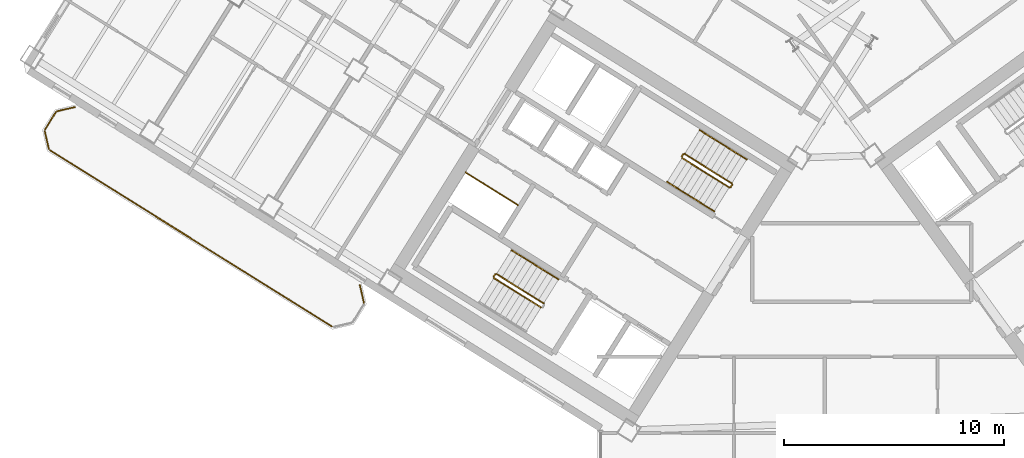
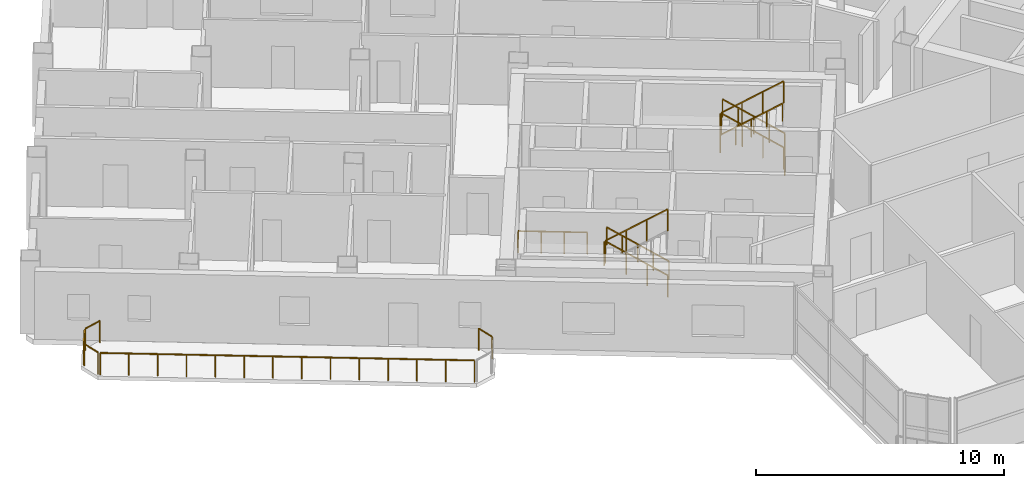
# One storey, part 18 of 20: 19 railings.
"""IFC4 building model written with IfcOpenShell, lengths in metres."""

import ifcopenshell
import ifcopenshell.guid

model = None  # the IFC model being written
_history = None  # IfcOwnerHistory: only IFC2X3 demands one
_inside = {}  # id of a spatial element -> (the spatial element, [elements in it])
_under = {}  # id of a project, library or spatial element -> (it, [spatial elements below it])
_declared = {}  # id of a project -> (the project, [libraries it declares])
_typed = {}  # id of a type object -> (the type object, [elements of that type])
_made_of = {}  # id of a material, layer set ... -> (it, [elements and type objects made of it])


def new_model(schema):
    """Start an empty IFC model of exactly this schema.

    Asked for "IFC4X3", IfcOpenShell would pick the latest addendum, in which some entities
    have other attributes; the version numbers below select the first issue.
    IFC2X3 requires an IfcOwnerHistory on every rooted entity: one is made here for all.
    """
    global model, _history
    if schema == "IFC4X3":
        model = ifcopenshell.file(schema_version=(4, 3, 0, 0))
    else:
        model = ifcopenshell.file(schema=schema)
    _inside.clear()
    _under.clear()
    _declared.clear()
    _typed.clear()
    _made_of.clear()
    _history = None
    if model.schema == "IFC2X3":
        org = make("IfcOrganization", Name="unknown")
        user = make(
            "IfcPersonAndOrganization",
            ThePerson=make("IfcPerson", FamilyName="unknown"),
            TheOrganization=org,
        )
        app = make(
            "IfcApplication",
            ApplicationDeveloper=org,
            Version="unknown",
            ApplicationFullName="unknown",
            ApplicationIdentifier="unknown",
        )
        _history = make(
            "IfcOwnerHistory",
            OwningUser=user,
            OwningApplication=app,
            ChangeAction="ADDED",
            CreationDate=0,
        )
    return model


def make(cls, **values):
    """One entity of the class cls with the attributes given. An attribute that is None is left unset."""
    return model.create_entity(
        cls, **{name: value for name, value in values.items() if value is not None}
    )


def rooted(cls, **values):
    """An entity with a GlobalId (a new one), such as an element, a storey or a relation."""
    return make(cls, GlobalId=ifcopenshell.guid.new(), OwnerHistory=_history, **values)


def si_unit(unit_type, name, prefix=None):
    """IfcSIUnit, for example si_unit("LENGTHUNIT", "METRE", prefix="MILLI")."""
    return make("IfcSIUnit", UnitType=unit_type, Prefix=prefix, Name=name)


def assignment(units):
    """IfcUnitAssignment: the units of a project."""
    return None if units is None else make("IfcUnitAssignment", Units=units)


def point(xyz):
    """IfcCartesianPoint."""
    return None if xyz is None else make("IfcCartesianPoint", Coordinates=xyz)


def direction(xyz):
    """IfcDirection."""
    return None if xyz is None else make("IfcDirection", DirectionRatios=xyz)


def frame(location, z_axis=None, x_axis=None):
    """IfcAxis2Placement3D, a coordinate frame: its origin and axes. An axis left out is left unset."""
    return make(
        "IfcAxis2Placement3D",
        Location=point(location),
        Axis=direction(z_axis),
        RefDirection=direction(x_axis),
    )


def frame_2d(location, x_axis=None):
    """IfcAxis2Placement2D, a coordinate frame in the plane: its origin and x axis."""
    return make(
        "IfcAxis2Placement2D", Location=point(location), RefDirection=direction(x_axis)
    )


def origin():
    """The frame at (0, 0, 0) with its axes left unset."""
    return frame((0.0, 0.0, 0.0))


def origin_2d():
    """The frame at (0, 0) in the plane with its x axis left unset."""
    return frame_2d((0.0, 0.0))


def place(relative_to, where):
    """IfcLocalPlacement: puts the frame where relative to a parent placement (None: the world)."""
    return make(
        "IfcLocalPlacement", PlacementRelTo=relative_to, RelativePlacement=where
    )


def context(
    kind, dimensions, precision=None, world=None, true_north=None, identifier=None
):
    """IfcGeometricRepresentationContext, for example the 3D "Model" context."""
    return make(
        "IfcGeometricRepresentationContext",
        ContextIdentifier=identifier,
        ContextType=kind,
        CoordinateSpaceDimension=dimensions,
        Precision=precision,
        WorldCoordinateSystem=world,
        TrueNorth=true_north,
    )


def subcontext(parent, identifier, kind, view, scale=None):
    """IfcGeometricRepresentationSubContext, for example "Body" below "Model"."""
    return make(
        "IfcGeometricRepresentationSubContext",
        ContextIdentifier=identifier,
        ContextType=kind,
        ParentContext=parent,
        TargetScale=scale,
        TargetView=view,
    )


def project(units=None, contexts=None):
    """IfcProject with its units and contexts."""
    return rooted(
        "IfcProject",
        Name="project",
        RepresentationContexts=contexts,
        UnitsInContext=assignment(units),
    )


def spatial(cls, under=None, at=None, **own):
    """A site, building, storey or space (cls), placed at a placement, below another one or the project."""
    s = rooted(cls, ObjectPlacement=at, **own)
    if under is not None:
        _under.setdefault(under.id(), (under, []))[1].append(s)
    return s


def profile(cls, at=None, kind="AREA", **sizes):
    """A parametric profile (cls). Its sizes go by their IFC names, for example OverallWidth=200.0."""
    return make(cls, ProfileType=kind, Position=at, **sizes)


def rectangle(**sizes):
    """IfcRectangleProfileDef."""
    return profile("IfcRectangleProfileDef", **sizes)


def extrude(swept, where, along, depth):
    """IfcExtrudedAreaSolid: the profile swept, set in the frame where, extruded along a direction by depth."""
    return make(
        "IfcExtrudedAreaSolid",
        SweptArea=swept,
        Position=where,
        ExtrudedDirection=direction(along),
        Depth=depth,
    )


def shape(context_of_items, identifier, shape_type, items):
    """IfcShapeRepresentation: the items that make up one representation, for example the "Body"."""
    return make(
        "IfcShapeRepresentation",
        ContextOfItems=context_of_items,
        RepresentationIdentifier=identifier,
        RepresentationType=shape_type,
        Items=items,
    )


def source(mapping_origin, context_of_items, identifier, shape_type, items):
    """IfcRepresentationMap: a shape defined once, which mapped items show again and again."""
    return make(
        "IfcRepresentationMap",
        MappingOrigin=mapping_origin,
        MappedRepresentation=shape(context_of_items, identifier, shape_type, items),
    )


def transform(
    local_origin,
    x_axis=None,
    y_axis=None,
    z_axis=None,
    scale=None,
    scale2=None,
    scale3=None,
    uniform=True,
):
    """IfcCartesianTransformationOperator3D, or its non-uniform kind. x_axis, y_axis, z_axis: its Axis1, 2, 3."""
    if uniform:
        return make(
            "IfcCartesianTransformationOperator3D",
            Axis1=direction(x_axis),
            Axis2=direction(y_axis),
            LocalOrigin=point(local_origin),
            Scale=scale,
            Axis3=direction(z_axis),
        )
    return make(
        "IfcCartesianTransformationOperator3DnonUniform",
        Axis1=direction(x_axis),
        Axis2=direction(y_axis),
        LocalOrigin=point(local_origin),
        Scale=scale,
        Axis3=direction(z_axis),
        Scale2=scale2,
        Scale3=scale3,
    )


def mapped(mapping_source, mapping_target):
    """IfcMappedItem: shows the shape of a source again, moved by a transform."""
    return make(
        "IfcMappedItem", MappingSource=mapping_source, MappingTarget=mapping_target
    )


def material(Name=None, Category=None):
    """IfcMaterial."""
    return make("IfcMaterial", Name=Name, Category=Category)


def made_of(thing, what):
    """Note that an element or type object is made of a material, layer set ...; save() writes the relation."""
    if what is not None:
        _made_of.setdefault(what.id(), (what, []))[1].append(thing)
    return thing


def type_object(cls, material=None, **own):
    """A type object (cls), such as IfcWallType, which elements share."""
    return made_of(rooted(cls, **own), material)


def element(
    cls,
    number,
    at=None,
    inside=None,
    cuts=None,
    type_object=None,
    material=None,
    context=None,
    identifier="Body",
    shape_type=None,
    held_by="IfcProductDefinitionShape",
    body=None,
    shapes=None,
    **own,
):
    """One element of the class cls, such as IfcWall. Its Tag is "e" and its number.

    at: its placement. inside: the storey or other place that contains it. cuts: it is an
    opening in that element (IfcRelVoidsElement). A single representation is given by context,
    identifier, shape_type and body (its items); several are given by shapes. held_by: the class
    of the entity that holds the representations. save() writes the other relations.
    """
    e = rooted(cls, Tag="e%d" % number, ObjectPlacement=at, **own)
    if body is not None:
        shapes = [shape(context, identifier, shape_type, body)]
    if shapes is not None:
        e.Representation = make(held_by, Representations=shapes)
    if inside is not None:
        _inside.setdefault(inside.id(), (inside, []))[1].append(e)
    if cuts is not None:
        rooted(
            "IfcRelVoidsElement", RelatingBuildingElement=cuts, RelatedOpeningElement=e
        )
    if type_object is not None:
        _typed.setdefault(type_object.id(), (type_object, []))[1].append(e)
    return made_of(e, material)


def aggregate(whole, parts):
    """IfcRelAggregates: a whole, such as a stair, and the parts it consists of."""
    return rooted("IfcRelAggregates", RelatingObject=whole, RelatedObjects=parts)


def save(model, path):
    """Write the relations noted so far, then the file.

    IfcRelAggregates (storeys below a building ...), IfcRelContainedInSpatialStructure (elements
    in a storey), IfcRelDefinesByType, IfcRelAssociatesMaterial and IfcRelDeclares: one each for
    every whole, place, type object, material and project.
    """
    for whole, parts in _under.values():
        aggregate(whole, parts)
    for where, things in _inside.values():
        rooted(
            "IfcRelContainedInSpatialStructure",
            RelatedElements=things,
            RelatingStructure=where,
        )
    for kind, things in _typed.values():
        rooted("IfcRelDefinesByType", RelatedObjects=things, RelatingType=kind)
    for what, things in _made_of.values():
        rooted("IfcRelAssociatesMaterial", RelatedObjects=things, RelatingMaterial=what)
    for by, libraries in _declared.values():
        rooted("IfcRelDeclares", RelatingContext=by, RelatedDefinitions=libraries)
    model.write(path)


model = new_model("IFC4")

# Units and contexts
model_context = context("Model", 3, precision=1e-05, world=origin(), true_north=direction((0.0, 1.0)))
body_context = subcontext(model_context, "Body", "Model", "MODEL_VIEW")
ifc_project = project(units=[si_unit("LENGTHUNIT", "METRE"), si_unit("AREAUNIT", "SQUARE_METRE"), si_unit("VOLUMEUNIT", "CUBIC_METRE"), si_unit("PLANEANGLEUNIT", "RADIAN"), si_unit("MASSUNIT", "GRAM", prefix="KILO")], contexts=[model_context])

# Site, building, storey
site_placement = place(None, origin())
site = spatial("IfcSite", under=ifc_project, at=site_placement, CompositionType="ELEMENT")
building_placement = place(site_placement, origin())
building = spatial("IfcBuilding", under=site, at=building_placement, Name="Tlacorven Tower", CompositionType="ELEMENT")
storey_placement = place(building_placement, frame((0.0, 0.0, 187.800048828125)))
storey = spatial("IfcBuildingStorey", under=building, at=storey_placement, Name="L47", CompositionType="ELEMENT", Elevation=187.800048828125)

# Railings
ifc_material = material(Name="Aluminium and painted steel balustrade", Category="steel")
railing_type_1 = type_object("IfcRailingType", Name="RL-GRD-1100", PredefinedType="GUARDRAIL", material=ifc_material)
shared_shape_1 = source(origin(), body_context, "Body", "SweptSolid", [
    extrude(rectangle(XDim=0.048095703125, YDim=0.048095703125, at=origin_2d()), frame((0.0, 0.0, 1.076171875), z_axis=(-0.848091358275, 0.529850024081, 0.0), x_axis=(-0.529850024081, -0.848091358275, 0.0)), (0.0, 0.0, 1.0), 2.800048828125),
    extrude(rectangle(XDim=0.0419921875, YDim=0.0419921875, at=origin_2d()), origin(), (0.0, 0.0, 1.0), 1.052001953125),
    extrude(rectangle(XDim=0.0419921875, YDim=0.0419921875, at=origin_2d()), frame((-0.79150390625, 0.49462890625, 0.0)), (0.0, 0.0, 1.0), 1.052001953125),
    extrude(rectangle(XDim=0.0419921875, YDim=0.0419921875, at=origin_2d()), frame((-1.583251953125, 0.989013671875, 0.0)), (0.0, 0.0, 1.0), 1.052001953125),
    extrude(rectangle(XDim=0.0419921875, YDim=0.0419921875, at=origin_2d()), frame((-2.374755859375, 1.483642578125, 0.0)), (0.0, 0.0, 1.0), 1.052001953125),
])
railing_1_placement = place(storey_placement, frame((27.9912109375, 22.32080078125, 0.0)))
element("IfcRailing", 1, at=railing_1_placement, inside=storey, type_object=railing_type_1, Name="L47 Electrical Riser W Shaft Guard 1", PredefinedType="GUARDRAIL", context=body_context, shape_type="MappedRepresentation", body=[
    mapped(shared_shape_1, transform((0.0, 0.0, 0.0), scale=1.0)),
])
railing_type_2 = type_object("IfcRailingType", Name="RL-BAL-1100", PredefinedType="BALUSTRADE", material=ifc_material)
shared_shape_2 = source(origin(), body_context, "Body", "SweptSolid", [
    extrude(rectangle(XDim=0.048095703125, YDim=0.048095703125, at=origin_2d()), frame((0.0, 0.0, 1.076171875), z_axis=(0.225058334816, -0.974345290916, 0.0), x_axis=(0.974345290916, 0.225058334816, 0.0)), (0.0, 0.0, 1.0), 0.80712890625),
    extrude(rectangle(XDim=0.0419921875, YDim=0.0419921875, at=origin_2d()), origin(), (0.0, 0.0, 1.0), 1.052001953125),
    extrude(rectangle(XDim=0.0419921875, YDim=0.0419921875, at=origin_2d()), frame((0.181640625, -0.786376953125, 0.0)), (0.0, 0.0, 1.0), 1.052001953125),
])
railing_2_placement = place(storey_placement, frame((20.809814453125, 18.671142578125, 0.0)))
element("IfcRailing", 2, at=railing_2_placement, inside=storey, type_object=railing_type_2, Name="BAL-L47-W-OUT Guard Railing 1", PredefinedType="BALUSTRADE", context=body_context, shape_type="MappedRepresentation", body=[
    mapped(shared_shape_2, transform((0.0, 0.0, 0.0), scale=1.0)),
])
shared_shape_3 = source(origin(), body_context, "Body", "SweptSolid", [
    extrude(rectangle(XDim=0.048095703125, YDim=0.048095703125, at=origin_2d()), frame((0.0, 0.0, 1.076171875), z_axis=(-0.225058334816, 0.974345290916, 0.0), x_axis=(-0.974345290916, -0.225058334816, 0.0)), (0.0, 0.0, 1.0), 0.80712890625),
    extrude(rectangle(XDim=0.0419921875, YDim=0.0419921875, at=origin_2d()), origin(), (0.0, 0.0, 1.0), 1.052001953125),
    extrude(rectangle(XDim=0.0419921875, YDim=0.0419921875, at=origin_2d()), frame((-0.181640625, 0.786376953125, 0.0)), (0.0, 0.0, 1.0), 1.052001953125),
])
railing_3_placement = place(storey_placement, frame((6.66650390625, 24.88623046875, 0.0)))
element("IfcRailing", 3, at=railing_3_placement, inside=storey, type_object=railing_type_2, Name="BAL-L47-W-OUT Guard Railing 5", PredefinedType="BALUSTRADE", context=body_context, shape_type="MappedRepresentation", body=[
    mapped(shared_shape_3, transform((0.0, 0.0, 0.0), scale=1.0)),
])
shared_shape_4 = source(origin(), body_context, "Body", "SweptSolid", [
    extrude(rectangle(XDim=0.048095703125, YDim=0.048095703125, at=origin_2d()), frame((0.0, 0.0, 1.076171875), z_axis=(0.974411586182, 0.224771129628, 0.0), x_axis=(-0.224771129628, 0.974411586182, 0.0)), (0.0, 0.0, 1.0), 0.80712890625),
    extrude(rectangle(XDim=0.0419921875, YDim=0.0419921875, at=origin_2d()), origin(), (0.0, 0.0, 1.0), 1.052001953125),
    extrude(rectangle(XDim=0.0419921875, YDim=0.0419921875, at=origin_2d()), frame((0.786376953125, 0.181396484375, 0.0)), (0.0, 0.0, 1.0), 1.052001953125),
])
railing_4_placement = place(storey_placement, frame((7.05859375, 26.591064453125, 0.0)))
element("IfcRailing", 4, at=railing_4_placement, inside=storey, type_object=railing_type_2, Name="BAL-L47-W-OUT Guard Railing 7", PredefinedType="BALUSTRADE", context=body_context, shape_type="MappedRepresentation", body=[
    mapped(shared_shape_4, transform((0.0, 0.0, 0.0), scale=1.0)),
])
shared_shape_5 = source(origin(), body_context, "Body", "SweptSolid", [
    extrude(rectangle(XDim=0.048095703125, YDim=0.048095703125, at=origin_2d()), frame((0.0, 0.0, 1.076171875), z_axis=(0.529998940003, 0.847998304005, 0.0), x_axis=(-0.847998304005, 0.529998940003, 0.0)), (0.0, 0.0, 1.0), 0.912109375),
    extrude(rectangle(XDim=0.0419921875, YDim=0.0419921875, at=origin_2d()), origin(), (0.0, 0.0, 1.0), 1.052001953125),
    extrude(rectangle(XDim=0.0419921875, YDim=0.0419921875, at=origin_2d()), frame((0.4833984375, 0.7734375, 0.0)), (0.0, 0.0, 1.0), 1.052001953125),
])
railing_5_placement = place(storey_placement, frame((6.5, 25.763916015625, 0.0)))
element("IfcRailing", 5, at=railing_5_placement, inside=storey, type_object=railing_type_2, Name="BAL-L47-W-OUT Guard Railing 6", PredefinedType="BALUSTRADE", context=body_context, shape_type="MappedRepresentation", body=[
    mapped(shared_shape_5, transform((0.0, 0.0, 0.0), scale=1.0)),
])
shared_shape_6 = source(origin(), body_context, "Body", "SweptSolid", [
    extrude(rectangle(XDim=0.048095703125, YDim=0.048095703125, at=origin_2d()), frame((0.0, 0.0, 1.076171875), z_axis=(-0.848051830527, 0.529913287944, 0.0), x_axis=(-0.529913287944, -0.848051830527, 0.0)), (0.0, 0.0, 1.0), 15.1171875),
    extrude(rectangle(XDim=0.0419921875, YDim=0.0419921875, at=origin_2d()), origin(), (0.0, 0.0, 1.0), 1.052001953125),
    extrude(rectangle(XDim=0.0419921875, YDim=0.0419921875, at=origin_2d()), frame((-0.986083984375, 0.6162109375, 0.0)), (0.0, 0.0, 1.0), 1.052001953125),
    extrude(rectangle(XDim=0.0419921875, YDim=0.0419921875, at=origin_2d()), frame((-1.972412109375, 1.232421875, 0.0)), (0.0, 0.0, 1.0), 1.052001953125),
    extrude(rectangle(XDim=0.0419921875, YDim=0.0419921875, at=origin_2d()), frame((-2.95849609375, 1.8486328125, 0.0)), (0.0, 0.0, 1.0), 1.052001953125),
    extrude(rectangle(XDim=0.0419921875, YDim=0.0419921875, at=origin_2d()), frame((-3.944580078125, 2.46484375, 0.0)), (0.0, 0.0, 1.0), 1.052001953125),
    extrude(rectangle(XDim=0.0419921875, YDim=0.0419921875, at=origin_2d()), frame((-4.930908203125, 3.0810546875, 0.0)), (0.0, 0.0, 1.0), 1.052001953125),
    extrude(rectangle(XDim=0.0419921875, YDim=0.0419921875, at=origin_2d()), frame((-5.9169921875, 3.697265625, 0.0)), (0.0, 0.0, 1.0), 1.052001953125),
    extrude(rectangle(XDim=0.0419921875, YDim=0.0419921875, at=origin_2d()), frame((-6.903076171875, 4.3134765625, 0.0)), (0.0, 0.0, 1.0), 1.052001953125),
    extrude(rectangle(XDim=0.0419921875, YDim=0.0419921875, at=origin_2d()), frame((-7.88916015625, 4.9296875, 0.0)), (0.0, 0.0, 1.0), 1.052001953125),
    extrude(rectangle(XDim=0.0419921875, YDim=0.0419921875, at=origin_2d()), frame((-8.87548828125, 5.5458984375, 0.0)), (0.0, 0.0, 1.0), 1.052001953125),
    extrude(rectangle(XDim=0.0419921875, YDim=0.0419921875, at=origin_2d()), frame((-9.861572265625, 6.162109375, 0.0)), (0.0, 0.0, 1.0), 1.052001953125),
    extrude(rectangle(XDim=0.0419921875, YDim=0.0419921875, at=origin_2d()), frame((-10.84765625, 6.7783203125, 0.0)), (0.0, 0.0, 1.0), 1.052001953125),
    extrude(rectangle(XDim=0.0419921875, YDim=0.0419921875, at=origin_2d()), frame((-11.833984375, 7.39453125, 0.0)), (0.0, 0.0, 1.0), 1.052001953125),
    extrude(rectangle(XDim=0.0419921875, YDim=0.0419921875, at=origin_2d()), frame((-12.820068359375, 8.0107421875, 0.0)), (0.0, 0.0, 1.0), 1.052001953125),
])
railing_6_placement = place(storey_placement, frame((19.5400390625, 16.80029296875, 0.0)))
element("IfcRailing", 6, at=railing_6_placement, inside=storey, type_object=railing_type_2, Name="BAL-L47-W-OUT Guard Railing 4", PredefinedType="BALUSTRADE", context=body_context, shape_type="MappedRepresentation", body=[
    mapped(shared_shape_6, transform((0.0, 0.0, 0.0), scale=1.0)),
])
shared_shape_7 = source(origin(), body_context, "Body", "SweptSolid", [
    extrude(rectangle(XDim=0.048095703125, YDim=0.048095703125, at=origin_2d()), frame((0.0, 0.0, 1.076171875), z_axis=(-0.713319727316, 0.445773895627, 0.540796265334), x_axis=(-0.529955395941, -0.84802551749, 0.0)), (0.0, 0.0, 1.0), 2.995849609375),
    extrude(rectangle(XDim=0.0419921875, YDim=0.0419921875, at=origin_2d()), origin(), (0.0, 0.0, 1.0), 1.052001953125),
    extrude(rectangle(XDim=0.0419921875, YDim=0.0419921875, at=origin_2d()), frame((-0.71240234375, 0.445068359375, 0.5400390625)), (0.0, 0.0, 1.0), 1.052001953125),
    extrude(rectangle(XDim=0.0419921875, YDim=0.0419921875, at=origin_2d()), frame((-1.424560546875, 0.890380859375, 1.080078125)), (0.0, 0.0, 1.0), 1.052001953125),
    extrude(rectangle(XDim=0.0419921875, YDim=0.0419921875, at=origin_2d()), frame((-2.136962890625, 1.33544921875, 1.6201171875)), (0.0, 0.0, 1.0), 1.052001953125),
])
for number, where, name in (
    (7, (29.16064453125, 17.851806640625, 0.179931640625), "L47 ST-W1 stair guard 1"),
    (8, (37.712158203125, 23.3095703125, 0.179931640625), "L47 ST-W2 stair guard 1"),
):
    element("IfcRailing", number, at=place(storey_placement, frame(where)), inside=storey, type_object=railing_type_1, Name=name, PredefinedType="GUARDRAIL", context=body_context, shape_type="MappedRepresentation", body=[
        mapped(shared_shape_7, transform((0.0, 0.0, 0.0), scale=1.0)),
    ])
shared_shape_8 = source(origin(), body_context, "Body", "SweptSolid", [
    extrude(rectangle(XDim=0.048095703125, YDim=0.048095703125, at=origin_2d()), frame((0.0, 0.0, 1.076171875), z_axis=(-0.530546985787, -0.847655529016, 0.0), x_axis=(0.847655529016, -0.530546985787, 0.0)), (0.0, 0.0, 1.0), 0.1201171875),
    extrude(rectangle(XDim=0.0419921875, YDim=0.0419921875, at=origin_2d()), origin(), (0.0, 0.0, 1.0), 1.052001953125),
    extrude(rectangle(XDim=0.0419921875, YDim=0.0419921875, at=origin_2d()), frame((-0.063720703125, -0.101806640625, 0.0)), (0.0, 0.0, 1.0), 1.052001953125),
])
for number, where, name in (
    (9, (26.954833984375, 19.17138671875, 1.800048828125), "L47 ST-W1 stair guard 2"),
    (10, (37.728271484375, 23.24072265625, 0.0), "L47 ST-W2 stair guard 4"),
):
    element("IfcRailing", number, at=place(storey_placement, frame(where)), inside=storey, type_object=railing_type_1, Name=name, PredefinedType="GUARDRAIL", context=body_context, shape_type="MappedRepresentation", body=[
        mapped(shared_shape_8, transform((0.0, 0.0, 0.0), scale=1.0)),
    ])
railing_type_3 = type_object("IfcRailingType", Name="RL-HND-0900", PredefinedType="HANDRAIL", material=ifc_material)
shared_shape_9 = source(origin(), body_context, "Body", "SweptSolid", [
    extrude(rectangle(XDim=0.048095703125, YDim=0.048095703125, at=origin_2d()), frame((0.0, 0.0, 0.8759765625), z_axis=(-0.713359751793, 0.4457479829, 0.540764828981), x_axis=(-0.529911857636, -0.848052724267, 0.0)), (0.0, 0.0, 1.0), 1.498046875),
    extrude(rectangle(XDim=0.0419921875, YDim=0.0419921875, at=origin_2d()), origin(), (0.0, 0.0, 1.0), 0.851806640625),
    extrude(rectangle(XDim=0.0419921875, YDim=0.0419921875, at=origin_2d()), frame((-0.5341796875, 0.333984375, 0.405029296875)), (0.0, 0.0, 1.0), 0.851806640625),
    extrude(rectangle(XDim=0.0419921875, YDim=0.0419921875, at=origin_2d()), frame((-1.068603515625, 0.667724609375, 0.81005859375)), (0.0, 0.0, 1.0), 0.851806640625),
])
for number, where, name in (
    (11, (29.839111328125, 18.937255859375, 0.179931640625), "L47 ST-W1 stair handrail 1"),
    (12, (28.7705078125, 19.60498046875, 0.989990234375), "L47 ST-W1 stair handrail 2"),
    (13, (38.390625, 24.39501953125, 0.179931640625), "L47 ST-W2 stair handrail 1"),
    (14, (37.322021484375, 25.062744140625, 0.989990234375), "L47 ST-W2 stair handrail 2"),
):
    element("IfcRailing", number, at=place(storey_placement, frame(where)), inside=storey, type_object=railing_type_3, Name=name, PredefinedType="HANDRAIL", context=body_context, shape_type="MappedRepresentation", body=[
        mapped(shared_shape_9, transform((0.0, 0.0, 0.0), scale=1.0)),
    ])
shared_shape_10 = source(origin(), body_context, "Body", "SweptSolid", [
    extrude(rectangle(XDim=0.048095703125, YDim=0.048095703125, at=origin_2d()), frame((0.0, 0.0, 0.8759765625), z_axis=(0.713359751793, -0.4457479829, 0.540764828981), x_axis=(0.529911857636, 0.848052724267, 0.0)), (0.0, 0.0, 1.0), 1.498046875),
    extrude(rectangle(XDim=0.0419921875, YDim=0.0419921875, at=origin_2d()), origin(), (0.0, 0.0, 1.0), 0.851806640625),
    extrude(rectangle(XDim=0.0419921875, YDim=0.0419921875, at=origin_2d()), frame((0.5341796875, -0.333984375, 0.405029296875)), (0.0, 0.0, 1.0), 0.851806640625),
    extrude(rectangle(XDim=0.0419921875, YDim=0.0419921875, at=origin_2d()), frame((1.068603515625, -0.667724609375, 0.81005859375)), (0.0, 0.0, 1.0), 0.851806640625),
])
railing_7_placement = place(storey_placement, frame((34.7802734375, 23.372802734375, 1.97998046875)))
element("IfcRailing", 15, at=railing_7_placement, inside=storey, type_object=railing_type_3, Name="L47 ST-W2 stair handrail 3", PredefinedType="HANDRAIL", context=body_context, shape_type="MappedRepresentation", body=[
    mapped(shared_shape_10, transform((0.0, 0.0, 0.0), scale=1.0)),
])
shared_shape_11 = source(origin(), body_context, "Body", "SweptSolid", [
    extrude(rectangle(XDim=0.048095703125, YDim=0.048095703125, at=origin_2d()), frame((0.0, 0.0, 1.076171875), z_axis=(0.71339118691, -0.44576762536, 0.540707165313), x_axis=(0.529911857636, 0.848052724267, 0.0)), (0.0, 0.0, 1.0), 2.995849609375),
    extrude(rectangle(XDim=0.0419921875, YDim=0.0419921875, at=origin_2d()), origin(), (0.0, 0.0, 1.0), 1.052001953125),
    extrude(rectangle(XDim=0.0419921875, YDim=0.0419921875, at=origin_2d()), frame((0.71240234375, -0.445068359375, 0.5400390625)), (0.0, 0.0, 1.0), 1.052001953125),
    extrude(rectangle(XDim=0.0419921875, YDim=0.0419921875, at=origin_2d()), frame((1.4248046875, -0.890380859375, 1.079833984375)), (0.0, 0.0, 1.0), 1.052001953125),
    extrude(rectangle(XDim=0.0419921875, YDim=0.0419921875, at=origin_2d()), frame((2.13720703125, -1.33544921875, 1.619873046875)), (0.0, 0.0, 1.0), 1.052001953125),
])
railing_8_placement = place(storey_placement, frame((26.906982421875, 19.000732421875, 1.97998046875)))
element("IfcRailing", 16, at=railing_8_placement, inside=storey, type_object=railing_type_1, Name="L47 ST-W1 stair guard 3", PredefinedType="GUARDRAIL", context=body_context, shape_type="MappedRepresentation", body=[
    mapped(shared_shape_11, transform((0.0, 0.0, 0.0), scale=1.0)),
])
shared_shape_12 = source(origin(), body_context, "Body", "SweptSolid", [
    extrude(rectangle(XDim=0.048095703125, YDim=0.048095703125, at=origin_2d()), frame((0.0, 0.0, 0.8759765625), z_axis=(0.713422621445, -0.445787267455, 0.540649494022), x_axis=(0.529911857636, 0.848052724267, 0.0)), (0.0, 0.0, 1.0), 1.497802734375),
    extrude(rectangle(XDim=0.0419921875, YDim=0.0419921875, at=origin_2d()), origin(), (0.0, 0.0, 1.0), 0.851806640625),
    extrude(rectangle(XDim=0.0419921875, YDim=0.0419921875, at=origin_2d()), frame((0.5341796875, -0.333984375, 0.40478515625)), (0.0, 0.0, 1.0), 0.851806640625),
    extrude(rectangle(XDim=0.0419921875, YDim=0.0419921875, at=origin_2d()), frame((1.068603515625, -0.667724609375, 0.809814453125)), (0.0, 0.0, 1.0), 0.851806640625),
])
railing_9_placement = place(storey_placement, frame((35.848876953125, 22.705078125, 2.7900390625)))
element("IfcRailing", 17, at=railing_9_placement, inside=storey, type_object=railing_type_3, Name="L47 ST-W2 stair handrail 4", PredefinedType="HANDRAIL", context=body_context, shape_type="MappedRepresentation", body=[
    mapped(shared_shape_12, transform((0.0, 0.0, 0.0), scale=1.0)),
])
shared_shape_13 = source(origin(), body_context, "Body", "SweptSolid", [
    extrude(rectangle(XDim=0.048095703125, YDim=0.048095703125, at=origin_2d()), frame((0.0, 0.0, 1.076171875), z_axis=(-0.531462422766, -0.847081869236, 0.0), x_axis=(0.847081869236, -0.531462422766, 0.0)), (0.0, 0.0, 1.0), 0.119873046875),
    extrude(rectangle(XDim=0.0419921875, YDim=0.0419921875, at=origin_2d()), origin(), (0.0, 0.0, 1.0), 1.052001953125),
    extrude(rectangle(XDim=0.0419921875, YDim=0.0419921875, at=origin_2d()), frame((-0.063720703125, -0.1015625, 0.0)), (0.0, 0.0, 1.0), 1.052001953125),
])
railing_10_placement = place(storey_placement, frame((35.50634765625, 24.62890625, 1.800048828125)))
element("IfcRailing", 18, at=railing_10_placement, inside=storey, type_object=railing_type_1, Name="L47 ST-W2 stair guard 2", PredefinedType="GUARDRAIL", context=body_context, shape_type="MappedRepresentation", body=[
    mapped(shared_shape_13, transform((0.0, 0.0, 0.0), scale=1.0)),
])
shared_shape_14 = source(origin(), body_context, "Body", "SweptSolid", [
    extrude(rectangle(XDim=0.048095703125, YDim=0.048095703125, at=origin_2d()), frame((0.0, 0.0, 1.076171875), z_axis=(0.713417101326, -0.445702322042, 0.540726806865), x_axis=(0.52984217967, 0.848096259066, 0.0)), (0.0, 0.0, 1.0), 2.995849609375),
    extrude(rectangle(XDim=0.0419921875, YDim=0.0419921875, at=origin_2d()), origin(), (0.0, 0.0, 1.0), 1.052001953125),
    extrude(rectangle(XDim=0.0419921875, YDim=0.0419921875, at=origin_2d()), frame((0.71240234375, -0.445068359375, 0.5400390625)), (0.0, 0.0, 1.0), 1.052001953125),
    extrude(rectangle(XDim=0.0419921875, YDim=0.0419921875, at=origin_2d()), frame((1.4248046875, -0.89013671875, 1.079833984375)), (0.0, 0.0, 1.0), 1.052001953125),
    extrude(rectangle(XDim=0.0419921875, YDim=0.0419921875, at=origin_2d()), frame((2.13720703125, -1.335205078125, 1.619873046875)), (0.0, 0.0, 1.0), 1.052001953125),
])
railing_11_placement = place(storey_placement, frame((35.45849609375, 24.458251953125, 1.97998046875)))
element("IfcRailing", 19, at=railing_11_placement, inside=storey, type_object=railing_type_1, Name="L47 ST-W2 stair guard 3", PredefinedType="GUARDRAIL", context=body_context, shape_type="MappedRepresentation", body=[
    mapped(shared_shape_14, transform((0.0, 0.0, 0.0), scale=1.0)),
])

save(model, "model.ifc")
